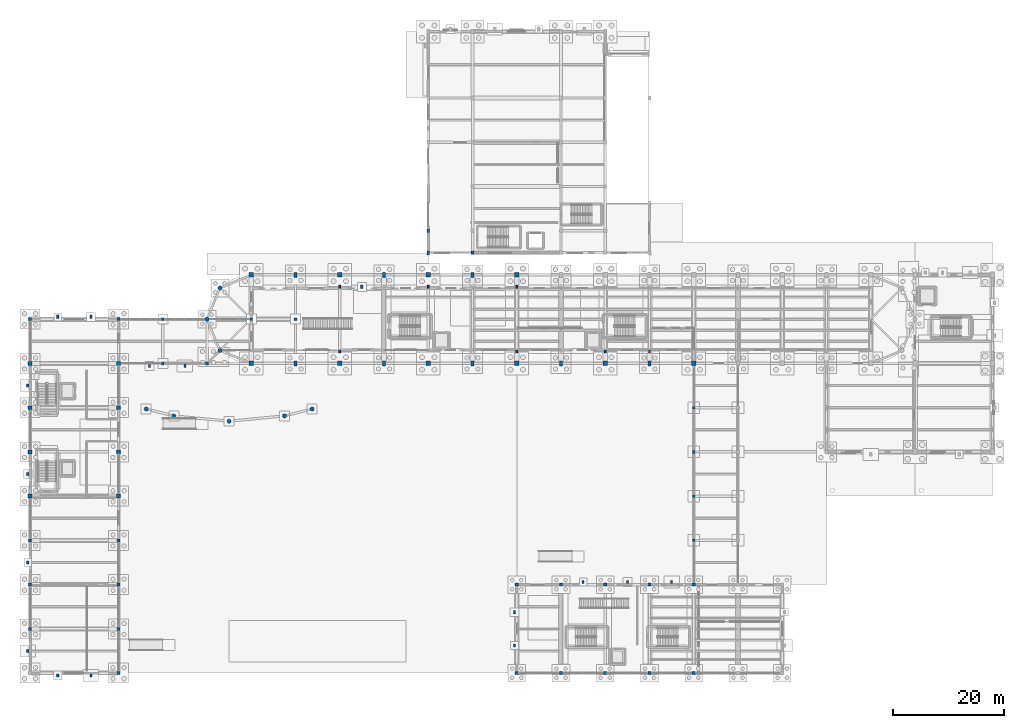
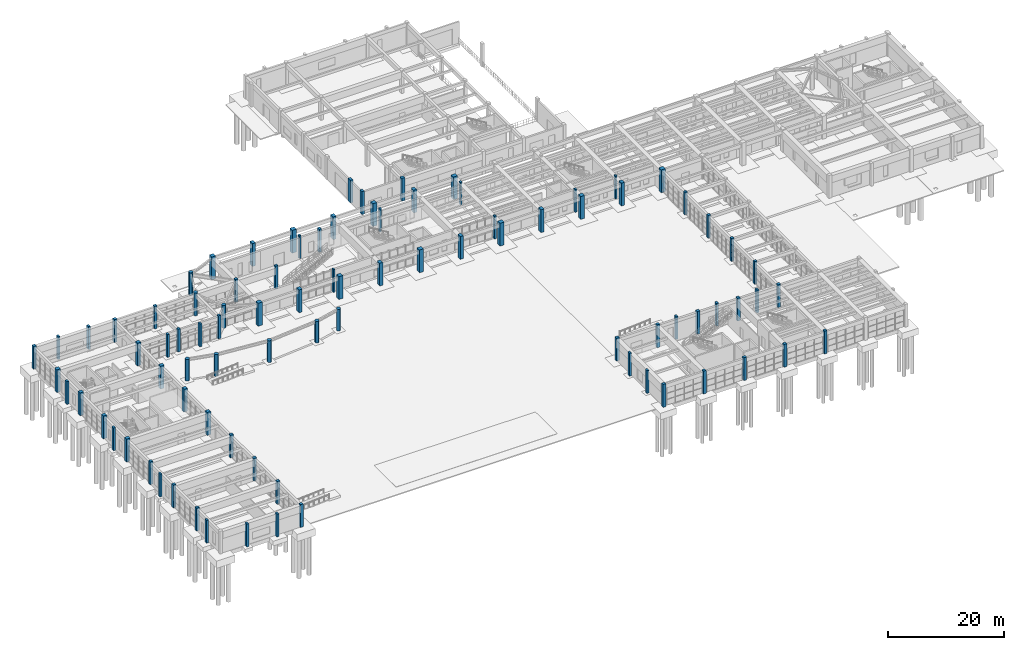
# One storey, part 7 of 68: 88 columns.
"""IFC4 building model written with IfcOpenShell, lengths in metres."""

from ifc_helpers import new_model, si_unit, direction, frame, origin, origin_2d, place, context, subcontext, project, spatial, rectangle, circle, extrude, material, material_profile, profile_set, type_object, element, save


model = new_model("IFC4")

# Units and contexts
model_context = context("Model", 3, precision=1e-05, world=origin(), true_north=direction((0.0, 1.0)))
body_context = subcontext(model_context, "Body", "Model", "MODEL_VIEW")
ifc_project = project(units=[si_unit("LENGTHUNIT", "METRE"), si_unit("AREAUNIT", "SQUARE_METRE"), si_unit("VOLUMEUNIT", "CUBIC_METRE"), si_unit("PLANEANGLEUNIT", "RADIAN"), si_unit("MASSUNIT", "GRAM", prefix="KILO")], contexts=[model_context])

# Site, building, storey
site_placement = place(None, origin())
site = spatial("IfcSite", under=ifc_project, at=site_placement, CompositionType="ELEMENT")
building_placement = place(site_placement, origin())
building = spatial("IfcBuilding", under=site, at=building_placement, Name="Serraluz Foothill Cableway Terminal", CompositionType="ELEMENT")
storey_placement = place(building_placement, origin())
storey = spatial("IfcBuildingStorey", under=building, at=storey_placement, Name="L00", CompositionType="ELEMENT", Elevation=0.0)

# Columns
ifc_material_1 = material(Name="Concrete C35/45 (f'c 35 MPa)", Category="concrete")
ifc_material_profile_1 = material_profile(ifc_material_1, rectangle(XDim=0.5, YDim=0.5, at=origin_2d()), Name="RC 500x500")
ifc_profile_set_1 = profile_set([ifc_material_profile_1], Name="Concrete C35/45 (f'c 35 MPa)")
column_type_1 = type_object("IfcColumnType", Name="TYP-COL-RC500", PredefinedType="COLUMN", material=ifc_profile_set_1)
for number, where, z_axis, x_axis, name in (
    (1, (120.0, 24.0, 0.0), (0.0, 0.0, 1.0), (1.0, 0.0, 0.0), "Column COL-V3-CL-120-24-L00"),
    (2, (120.0, 32.0, 0.0), (0.0, 0.0, 1.0), (1.0, 0.0, 0.0), "Column COL-V3-CL-120-32-L00"),
    (3, (120.0, 40.0, 0.0), (0.0, 0.0, 1.0), (1.0, 0.0, 0.0), "Column COL-V3-CL-120-40-L00"),
    (4, (120.0, 48.0, 0.0), (0.0, 0.0, 1.0), (1.0, 0.0, 0.0), "Column COL-V3-CL-120-48-L00"),
    (5, (24.0, 56.0, 0.0), (0.0, 0.0, 1.0), (1.0, 0.0, 0.0), "Column COL-V5-LK-24-56-L00"),
    (6, (24.0, 64.0, 0.0), (0.0, 0.0, 1.0), (1.0, 0.0, 0.0), "Column COL-V5-LK-24-64-L00"),
    (7, (32.0, 56.0, 0.0), (0.0, 0.0, 1.0), (1.0, 0.0, 0.0), "Column COL-V5-LK-32-56-L00"),
    (8, (48.0, 64.0, 0.0), (0.0, 0.0, 1.0), (1.0, 0.0, 0.0), "Column COL-V5-LK-48-64-L00"),
    (9, (40.0, 64.0, 0.0), (0.0, 0.0, 1.0), (1.0, 0.0, 0.0), "West Link Bridge Column COL-V5-LK-40-64-L00"),
):
    element("IfcColumn", number, at=place(storey_placement, frame(where, z_axis=z_axis, x_axis=x_axis)), inside=storey, type_object=column_type_1, Name=name, PredefinedType="COLUMN", context=body_context, shape_type="SweptSolid", body=[
        extrude(rectangle(XDim=0.5, YDim=0.5, at=origin_2d()), origin(), (0.0, 0.0, 1.0), 4.800048828125),
    ])
ifc_material_profile_2 = material_profile(ifc_material_1, rectangle(XDim=0.5, YDim=0.699951171875, at=origin_2d()), Name="RC 500x700")
ifc_profile_set_2 = profile_set([ifc_material_profile_2], Name="Concrete C35/45 (f'c 35 MPa)")
column_type_2 = type_object("IfcColumnType", Name="TYP-COL-RC500X700", PredefinedType="COLUMN", material=ifc_profile_set_2)
for number, where, z_axis, x_axis, name in (
    (10, (72.0, 76.0, 0.0), (0.0, 0.0, 1.0), (1.0, 0.0, 0.0), "Column COL-V4-72-760-L00"),
    (11, (72.0, 80.0, 0.0), (0.0, 0.0, 1.0), (1.0, 0.0, 0.0), "Column COL-V4-72-800-L00"),
):
    element("IfcColumn", number, at=place(storey_placement, frame(where, z_axis=z_axis, x_axis=x_axis)), inside=storey, type_object=column_type_2, Name=name, PredefinedType="COLUMN", context=body_context, shape_type="SweptSolid", body=[
        extrude(rectangle(XDim=0.5, YDim=0.699951171875, at=origin_2d()), origin(), (0.0, 0.0, 1.0), 4.800048828125),
    ])
ifc_material_profile_3 = material_profile(ifc_material_1, rectangle(XDim=0.550048828125, YDim=0.550048828125, at=origin_2d()), Name="RC 550x550")
ifc_profile_set_3 = profile_set([ifc_material_profile_3], Name="Concrete C35/45 (f'c 35 MPa)")
column_type_3 = type_object("IfcColumnType", Name="TYP-COL-RC550", PredefinedType="COLUMN", material=ifc_profile_set_3)
for number, where, z_axis, x_axis, name in (
    (12, (88.0, 0.0, 0.0), (0.0, 0.0, 1.0), (1.0, 0.0, 0.0), "Column COL-V3-88-0-L00"),
    (13, (88.0, 16.0, 0.0), (0.0, 0.0, 1.0), (1.0, 0.0, 0.0), "Column COL-V3-88-16-L00"),
    (14, (96.0, 0.0, 0.0), (0.0, 0.0, 1.0), (1.0, 0.0, 0.0), "Column COL-V3-96-0-L00"),
    (15, (96.0, 16.0, 0.0), (0.0, 0.0, 1.0), (1.0, 0.0, 0.0), "Column COL-V3-96-16-L00"),
    (16, (104.0, 0.0, 0.0), (0.0, 0.0, 1.0), (1.0, 0.0, 0.0), "Column COL-V3-104-0-L00"),
    (17, (104.0, 16.0, 0.0), (0.0, 0.0, 1.0), (1.0, 0.0, 0.0), "Column COL-V3-104-16-L00"),
    (18, (112.0, 0.0, 0.0), (0.0, 0.0, 1.0), (1.0, 0.0, 0.0), "Column COL-V3-112-0-L00"),
    (19, (112.0, 16.0, 0.0), (0.0, 0.0, 1.0), (1.0, 0.0, 0.0), "Column COL-V3-112-16-L00"),
    (20, (120.0, 0.0, 0.0), (0.0, 0.0, 1.0), (1.0, 0.0, 0.0), "Column COL-V3-120-0-L00"),
    (21, (120.0, 16.0, 0.0), (0.0, 0.0, 1.0), (1.0, 0.0, 0.0), "Column COL-V3-120-16-L00"),
    (22, (16.0, 0.0, 0.0), (0.0, 0.0, 1.0), (1.0, 0.0, 0.0), "Column COL-V5-16-0-L00"),
    (23, (0.0, 8.0, 0.0), (0.0, 0.0, 1.0), (1.0, 0.0, 0.0), "Column COL-V5-0-8-L00"),
    (24, (16.0, 8.0, 0.0), (0.0, 0.0, 1.0), (1.0, 0.0, 0.0), "Column COL-V5-16-8-L00"),
    (25, (0.0, 16.0, 0.0), (0.0, 0.0, 1.0), (1.0, 0.0, 0.0), "Column COL-V5-0-16-L00"),
    (26, (16.0, 16.0, 0.0), (0.0, 0.0, 1.0), (1.0, 0.0, 0.0), "Column COL-V5-16-16-L00"),
    (27, (0.0, 24.0, 0.0), (0.0, 0.0, 1.0), (1.0, 0.0, 0.0), "Column COL-V5-0-24-L00"),
    (28, (16.0, 24.0, 0.0), (0.0, 0.0, 1.0), (1.0, 0.0, 0.0), "Column COL-V5-16-24-L00"),
    (29, (0.0, 64.0, 0.0), (0.0, 0.0, 1.0), (1.0, 0.0, 0.0), "Column COL-V5-0-64-L00"),
    (30, (16.0, 64.0, 0.0), (0.0, 0.0, 1.0), (1.0, 0.0, 0.0), "Column COL-V5-16-64-L00"),
):
    element("IfcColumn", number, at=place(storey_placement, frame(where, z_axis=z_axis, x_axis=x_axis)), inside=storey, type_object=column_type_3, Name=name, PredefinedType="COLUMN", context=body_context, shape_type="SweptSolid", body=[
        extrude(rectangle(XDim=0.550048828125, YDim=0.550048828125, at=origin_2d()), origin(), (0.0, 0.0, 1.0), 4.800048828125),
    ])
ifc_material_profile_4 = material_profile(ifc_material_1, rectangle(XDim=0.60009765625, YDim=0.60009765625, at=origin_2d()), Name="RC 600x600")
ifc_profile_set_4 = profile_set([ifc_material_profile_4], Name="Concrete C35/45 (f'c 35 MPa)")
column_type_4 = type_object("IfcColumnType", Name="TYP-COL-RC600", PredefinedType="COLUMN", material=ifc_profile_set_4)
column_1_placement = place(storey_placement, frame((80.0, 76.0, 0.0), z_axis=(0.0, 0.0, 1.0), x_axis=(1.0, 0.0, 0.0)))
element("IfcColumn", 31, at=column_1_placement, inside=storey, type_object=column_type_4, Name="Column COL-V4-80-760-L00", PredefinedType="COLUMN", context=body_context, shape_type="SweptSolid", body=[
    extrude(rectangle(XDim=0.60009765625, YDim=0.60009765625, at=origin_2d()), origin(), (0.0, 0.0, 1.0), 4.800048828125),
])
ifc_material_profile_5 = material_profile(ifc_material_1, rectangle(XDim=0.60009765625, YDim=0.85009765625, at=origin_2d()), Name="RC 600x850")
ifc_profile_set_5 = profile_set([ifc_material_profile_5], Name="Concrete C35/45 (f'c 35 MPa)")
column_type_5 = type_object("IfcColumnType", Name="TYP-COL-RC600X850", PredefinedType="COLUMN", material=ifc_profile_set_5)
for number, where, z_axis, x_axis, name in (
    (32, (48.0, 56.0, 0.0), (0.0, 0.0, 1.0), (1.0, 0.0, 0.0), "Column COL-V1-S-48-L00"),
    (33, (48.0, 72.0, 0.0), (0.0, 0.0, 1.0), (1.0, 0.0, 0.0), "Column COL-V1-N-48-L00"),
    (34, (64.0, 56.0, 0.0), (0.0, 0.0, 1.0), (1.0, 0.0, 0.0), "Column COL-V1-S-64-L00"),
    (35, (64.0, 72.0, 0.0), (0.0, 0.0, 1.0), (1.0, 0.0, 0.0), "Column COL-V1-N-64-L00"),
    (36, (80.0, 56.0, 0.0), (0.0, 0.0, 1.0), (1.0, 0.0, 0.0), "Column COL-V1-S-80-L00"),
    (37, (80.0, 72.0, 0.0), (0.0, 0.0, 1.0), (1.0, 0.0, 0.0), "Column COL-V1-N-80-L00"),
    (38, (96.0, 56.0, 0.0), (0.0, 0.0, 1.0), (1.0, 0.0, 0.0), "Column COL-V1-S-96-L00"),
    (39, (112.0, 56.0, 0.0), (0.0, 0.0, 1.0), (1.0, 0.0, 0.0), "Column COL-V1-S-112-L00"),
):
    element("IfcColumn", number, at=place(storey_placement, frame(where, z_axis=z_axis, x_axis=x_axis)), inside=storey, type_object=column_type_5, Name=name, PredefinedType="COLUMN", context=body_context, shape_type="SweptSolid", body=[
        extrude(rectangle(XDim=0.60009765625, YDim=0.85009765625, at=origin_2d()), origin(), (0.0, 0.0, 1.0), 4.800048828125),
    ])
ifc_material_profile_6 = material_profile(ifc_material_1, rectangle(XDim=0.699951171875, YDim=0.699951171875, at=origin_2d()), Name="RC 700x700")
ifc_profile_set_6 = profile_set([ifc_material_profile_6], Name="Concrete C35/45 (f'c 35 MPa)")
column_type_6 = type_object("IfcColumnType", Name="TYP-COL-RC700", PredefinedType="COLUMN", material=ifc_profile_set_6)
for number, where, z_axis, x_axis, name in (
    (40, (0.0, 32.0, 0.0), (0.0, 0.0, 1.0), (1.0, 0.0, 0.0), "Column COL-V5-0-32-L00"),
    (41, (16.0, 32.0, 0.0), (0.0, 0.0, 1.0), (1.0, 0.0, 0.0), "Column COL-V5-16-32-L00"),
    (42, (0.0, 40.0, 0.0), (0.0, 0.0, 1.0), (1.0, 0.0, 0.0), "Column COL-V5-0-40-L00"),
    (43, (16.0, 40.0, 0.0), (0.0, 0.0, 1.0), (1.0, 0.0, 0.0), "Column COL-V5-16-40-L00"),
    (44, (0.0, 48.0, 0.0), (0.0, 0.0, 1.0), (1.0, 0.0, 0.0), "Column COL-V5-0-48-L00"),
    (45, (16.0, 48.0, 0.0), (0.0, 0.0, 1.0), (1.0, 0.0, 0.0), "Column COL-V5-16-48-L00"),
    (46, (0.0, 56.0, 0.0), (0.0, 0.0, 1.0), (1.0, 0.0, 0.0), "Column COL-V5-0-56-L00"),
    (47, (16.0, 56.0, 0.0), (0.0, 0.0, 1.0), (1.0, 0.0, 0.0), "Column COL-V5-16-56-L00"),
):
    element("IfcColumn", number, at=place(storey_placement, frame(where, z_axis=z_axis, x_axis=x_axis)), inside=storey, type_object=column_type_6, Name=name, PredefinedType="COLUMN", context=body_context, shape_type="SweptSolid", body=[
        extrude(rectangle(XDim=0.699951171875, YDim=0.699951171875, at=origin_2d()), origin(), (0.0, 0.0, 1.0), 4.800048828125),
    ])
ifc_material_profile_7 = material_profile(ifc_material_1, rectangle(XDim=0.800048828125, YDim=0.800048828125, at=origin_2d()), Name="RC 800x800")
ifc_profile_set_7 = profile_set([ifc_material_profile_7], Name="Concrete C35/45 (f'c 35 MPa)")
column_type_7 = type_object("IfcColumnType", Name="TYP-COL-RC800", PredefinedType="COLUMN", material=ifc_profile_set_7)
for number, where, z_axis, x_axis, name in (
    (48, (40.0, 56.0, 0.0), (0.0, 0.0, 1.0), (1.0, 0.0, 0.0), "Column COL-V1-S-40-L00"),
    (49, (40.0, 72.0, 0.0), (0.0, 0.0, 1.0), (1.0, 0.0, 0.0), "Column COL-V1-N-40-L00"),
    (50, (56.0, 56.0, 0.0), (0.0, 0.0, 1.0), (1.0, 0.0, 0.0), "Column COL-V1-S-56-L00"),
    (51, (56.0, 72.0, 0.0), (0.0, 0.0, 1.0), (1.0, 0.0, 0.0), "Column COL-V1-N-56-L00"),
    (52, (72.0, 56.0, 0.0), (0.0, 0.0, 1.0), (1.0, 0.0, 0.0), "Column COL-V1-S-72-L00"),
    (53, (72.0, 72.0, 0.0), (0.0, 0.0, 1.0), (1.0, 0.0, 0.0), "Column COL-V1-N-72-L00"),
    (54, (88.0, 56.0, 0.0), (0.0, 0.0, 1.0), (1.0, 0.0, 0.0), "Column COL-V1-S-88-L00"),
    (55, (88.0, 72.0, 0.0), (0.0, 0.0, 1.0), (1.0, 0.0, 0.0), "Column COL-V1-N-88-L00"),
    (56, (104.0, 56.0, 0.0), (0.0, 0.0, 1.0), (1.0, 0.0, 0.0), "Column COL-V1-S-104-L00"),
    (57, (120.0, 56.0, 0.0), (0.0, 0.0, 1.0), (1.0, 0.0, 0.0), "Column COL-V1-S-120-L00"),
):
    element("IfcColumn", number, at=place(storey_placement, frame(where, z_axis=z_axis, x_axis=x_axis)), inside=storey, type_object=column_type_7, Name=name, PredefinedType="COLUMN", context=body_context, shape_type="SweptSolid", body=[
        extrude(rectangle(XDim=0.800048828125, YDim=0.800048828125, at=origin_2d()), origin(), (0.0, 0.0, 1.0), 4.800048828125),
    ])
ifc_material_profile_8 = material_profile(ifc_material_1, circle(Radius=0.375, at=origin_2d()), Name="RC D750")
ifc_profile_set_8 = profile_set([ifc_material_profile_8], Name="Concrete C35/45 (f'c 35 MPa)")
column_type_8 = type_object("IfcColumnType", Name="TYP-COL-RCD750", PredefinedType="COLUMN", material=ifc_profile_set_8)
for number, where, z_axis, x_axis, name in (
    (58, (34.343017578125, 58.343017578125, 0.0), (0.0, 0.0, 1.0), (1.0, 0.0, 0.0), "Column COL-V1-ARC-W1-L00"),
    (59, (32.0, 64.0, 0.0), (0.0, 0.0, 1.0), (1.0, 0.0, 0.0), "Column COL-V1-ARC-W2-L00"),
    (60, (34.343017578125, 69.656982421875, 0.0), (0.0, 0.0, 1.0), (1.0, 0.0, 0.0), "Column COL-V1-ARC-W3-L00"),
):
    element("IfcColumn", number, at=place(storey_placement, frame(where, z_axis=z_axis, x_axis=x_axis)), inside=storey, type_object=column_type_8, Name=name, PredefinedType="COLUMN", context=body_context, shape_type="SweptSolid", body=[
        extrude(circle(Radius=0.375, at=origin_2d()), origin(), (0.0, 0.0, 1.0), 4.800048828125),
    ])
for number, where, z_axis, x_axis, name in (
    (61, (21.0, 47.760498046875, 0.0), (0.0, 0.0, 1.0), (1.0, 0.0, 0.0), "Plaza Canopy Column COL-CAN-1"),
    (62, (26.0, 46.5205078125, 0.0), (0.0, 0.0, 1.0), (1.0, 0.0, 0.0), "Plaza Canopy Column COL-CAN-2"),
    (63, (36.0, 45.550048828125, 0.0), (0.0, 0.0, 1.0), (1.0, 0.0, 0.0), "Plaza Canopy Column COL-CAN-4"),
    (64, (46.0, 46.5205078125, 0.0), (0.0, 0.0, 1.0), (1.0, 0.0, 0.0), "Plaza Canopy Column COL-CAN-6"),
    (65, (51.0, 47.760498046875, 0.0), (0.0, 0.0, 1.0), (1.0, 0.0, 0.0), "Plaza Canopy Column COL-CAN-7"),
):
    element("IfcColumn", number, at=place(storey_placement, frame(where, z_axis=z_axis, x_axis=x_axis)), inside=storey, type_object=column_type_8, Name=name, PredefinedType="COLUMN", context=body_context, shape_type="SweptSolid", body=[
        extrude(circle(Radius=0.375, at=origin_2d()), origin(), (0.0, 0.0, 1.0), 4.56005859375),
    ])
ifc_material_2 = material(Name="Dark clinker clay masonry brick (f'm 14 MPa)", Category="masonry")
ifc_material_profile_9 = material_profile(ifc_material_2, rectangle(XDim=0.35009765625, YDim=0.5, at=origin_2d()), Name="PIL 350x500")
ifc_profile_set_9 = profile_set([ifc_material_profile_9], Name="Dark clinker clay masonry brick (f'm 14 MPa)")
column_type_9 = type_object("IfcColumnType", Name="TYP-PIL-350X500", PredefinedType="PILASTER", material=ifc_profile_set_9)
for number, where, z_axis, x_axis, name in (
    (66, (56.0, 58.14990234375, 0.0), (0.0, 0.0, 1.0), (1.0, 0.0, 0.0), "Brick Pilaster Pier PL-01 L00"),
    (67, (88.0, 58.14990234375, 0.0), (0.0, 0.0, 1.0), (1.0, 0.0, 0.0), "Brick Pilaster Pier PL-02 L00"),
    (68, (104.0, 58.14990234375, 0.0), (0.0, 0.0, 1.0), (1.0, 0.0, 0.0), "Brick Pilaster Pier PL-03 L00"),
    (69, (112.0, 58.14990234375, 0.0), (0.0, 0.0, 1.0), (1.0, 0.0, 0.0), "Brick Pilaster Pier PL-04 L00"),
    (70, (56.0, 69.85009765625, 0.0), (0.0, 0.0, 1.0), (1.0, 0.0, 0.0), "Brick Pilaster Pier PL-06 L00"),
    (71, (72.0, 69.85009765625, 0.0), (0.0, 0.0, 1.0), (1.0, 0.0, 0.0), "Brick Pilaster Pier PL-07 L00"),
    (72, (88.0, 69.85009765625, 0.0), (0.0, 0.0, 1.0), (1.0, 0.0, 0.0), "Brick Pilaster Pier PL-08 L00"),
):
    element("IfcColumn", number, at=place(storey_placement, frame(where, z_axis=z_axis, x_axis=x_axis)), inside=storey, type_object=column_type_9, Name=name, PredefinedType="PILASTER", context=body_context, shape_type="SweptSolid", body=[
        extrude(rectangle(XDim=0.35009765625, YDim=0.5, at=origin_2d()), origin(), (0.0, 0.0, 1.0), 4.800048828125),
    ])
ifc_material_3 = material(Name="Fired clay masonry brick (f'm 12 MPa)", Category="masonry")
ifc_material_profile_10 = material_profile(ifc_material_3, rectangle(XDim=0.39990234375, YDim=0.60009765625, at=origin_2d()), Name="PIL 400x600")
ifc_profile_set_10 = profile_set([ifc_material_profile_10], Name="Fired clay masonry brick (f'm 12 MPa)")
column_type_10 = type_object("IfcColumnType", Name="TYP-PIL-400X600", PredefinedType="PILASTER", material=ifc_profile_set_10)
for number, where, z_axis, x_axis, name in (
    (73, (100.0, 16.47998046875, 0.0), (0.0, 0.0, 1.0), (1.0, 0.0, 0.0), "Brick Pilaster Pier PL-18 L00"),
    (74, (108.0, 16.47998046875, 0.0), (0.0, 0.0, 1.0), (1.0, 0.0, 0.0), "Brick Pilaster Pier PL-19 L00"),
    (75, (116.0, 16.47998046875, 0.0), (0.0, 0.0, 1.0), (1.0, 0.0, 0.0), "Brick Pilaster Pier PL-20 L00"),
    (76, (87.580078125, 5.0, 0.0), (0.0, 0.0, 1.0), (1.0, 0.0, 0.0), "Brick Pilaster Pier PL-21 L00"),
    (77, (87.580078125, 11.0, 0.0), (0.0, 0.0, 1.0), (1.0, 0.0, 0.0), "Brick Pilaster Pier PL-22 L00"),
    (78, (21.60009765625, 55.56005859375, 0.0), (0.0, 0.0, 1.0), (1.0, 0.0, 0.0), "Brick Pilaster Pier PL-31 L00"),
    (79, (28.0, 55.56005859375, 0.0), (0.0, 0.0, 1.0), (1.0, 0.0, 0.0), "Brick Pilaster Pier PL-32 L00"),
    (80, (5.0, -0.419921875, 0.0), (0.0, 0.0, 1.0), (1.0, 0.0, 0.0), "Brick Pilaster Pier PL-34 L00"),
    (81, (11.0, -0.419921875, 0.0), (0.0, 0.0, 1.0), (1.0, 0.0, 0.0), "Brick Pilaster Pier PL-35 L00"),
    (82, (5.0, 64.419921875, 0.0), (0.0, 0.0, 1.0), (1.0, 0.0, 0.0), "Brick Pilaster Pier PL-36 L00"),
    (83, (11.0, 64.419921875, 0.0), (0.0, 0.0, 1.0), (1.0, 0.0, 0.0), "Brick Pilaster Pier PL-37 L00"),
    (84, (-0.419921875, 4.0, 0.0), (0.0, 0.0, 1.0), (1.0, 0.0, 0.0), "Brick Pilaster Pier PL-38 L00"),
    (85, (-0.419921875, 20.0, 0.0), (0.0, 0.0, 1.0), (1.0, 0.0, 0.0), "Brick Pilaster Pier PL-39 L00"),
    (86, (-0.419921875, 36.0, 0.0), (0.0, 0.0, 1.0), (1.0, 0.0, 0.0), "Brick Pilaster Pier PL-40 L00"),
    (87, (-0.419921875, 52.0, 0.0), (0.0, 0.0, 1.0), (1.0, 0.0, 0.0), "Brick Pilaster Pier PL-41 L00"),
):
    element("IfcColumn", number, at=place(storey_placement, frame(where, z_axis=z_axis, x_axis=x_axis)), inside=storey, type_object=column_type_10, Name=name, PredefinedType="PILASTER", context=body_context, shape_type="SweptSolid", body=[
        extrude(rectangle(XDim=0.39990234375, YDim=0.60009765625, at=origin_2d()), origin(), (0.0, 0.0, 1.0), 4.800048828125),
    ])
ifc_material_4 = material(Name="Andean basalt ashlar masonry (f'm 18 MPa)", Category="masonry")
ifc_material_profile_11 = material_profile(ifc_material_4, rectangle(XDim=0.449951171875, YDim=0.64990234375, at=origin_2d()), Name="PIL 450x650")
ifc_profile_set_11 = profile_set([ifc_material_profile_11], Name="Andean basalt ashlar masonry (f'm 18 MPa)")
column_type_11 = type_object("IfcColumnType", Name="TYP-PIL-450X650", PredefinedType="PILASTER", material=ifc_profile_set_11)
column_2_placement = place(storey_placement, frame((60.0, 69.85009765625, 0.0), z_axis=(0.0, 0.0, 1.0), x_axis=(1.0, 0.0, 0.0)))
element("IfcColumn", 88, at=column_2_placement, inside=storey, type_object=column_type_11, Name="Brick Pilaster Pier PL-25 L00", PredefinedType="PILASTER", context=body_context, shape_type="SweptSolid", body=[
    extrude(rectangle(XDim=0.449951171875, YDim=0.64990234375, at=origin_2d()), origin(), (0.0, 0.0, 1.0), 4.800048828125),
])

save(model, "model.ifc")
